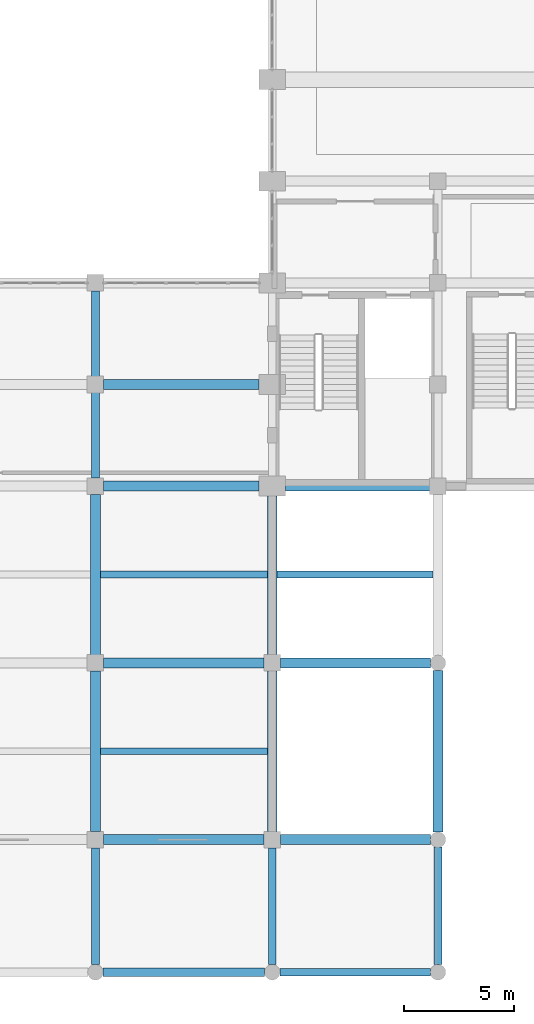
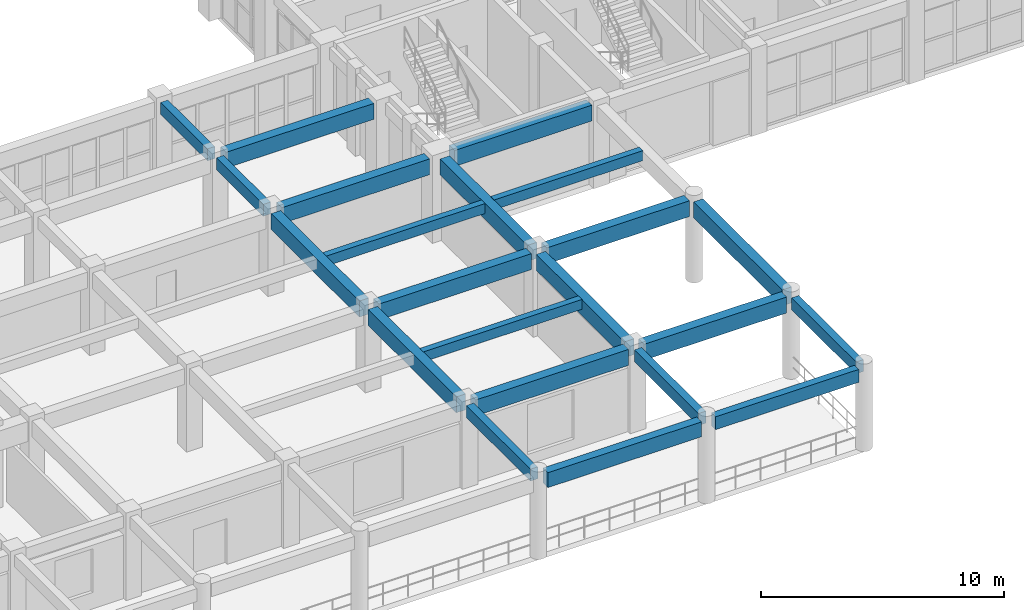
# One storey, part 12 of 116: 22 beams.
"""IFC4 building model written with IfcOpenShell, lengths in metres."""

from ifc_helpers import new_model, si_unit, direction, frame, origin, origin_2d, place, context, subcontext, project, spatial, rectangle, extrude, material, material_profile, profile_set, type_object, element, save


model = new_model("IFC4")

# Units and contexts
model_context = context("Model", 3, precision=1e-05, world=origin(), true_north=direction((0.0, 1.0)))
body_context = subcontext(model_context, "Body", "Model", "MODEL_VIEW")
ifc_project = project(units=[si_unit("LENGTHUNIT", "METRE"), si_unit("AREAUNIT", "SQUARE_METRE"), si_unit("VOLUMEUNIT", "CUBIC_METRE"), si_unit("PLANEANGLEUNIT", "RADIAN"), si_unit("MASSUNIT", "GRAM", prefix="KILO")], contexts=[model_context])

# Site, building, storey
site_placement = place(None, origin())
site = spatial("IfcSite", under=ifc_project, at=site_placement, CompositionType="ELEMENT")
building_placement = place(site_placement, origin())
building = spatial("IfcBuilding", under=site, at=building_placement, Name="Muzn Square Opera House", CompositionType="ELEMENT")
storey_placement = place(building_placement, frame((0.0, 0.0, 5.39990234375)))
storey = spatial("IfcBuildingStorey", under=building, at=storey_placement, Name="L01", CompositionType="ELEMENT", Elevation=5.39990234375)

# Beams
ifc_material = material(Name="Concrete C40/50", Category="concrete")
ifc_material_profile_1 = material_profile(ifc_material, rectangle(XDim=0.300048828125, YDim=0.5, at=origin_2d()), Name="RCJ 300x500", Category="concrete")
ifc_profile_set_1 = profile_set([ifc_material_profile_1], Name="Concrete C40/50")
beam_type_1 = type_object("IfcBeamType", Name="Floor Joist 300x500", PredefinedType="JOIST", material=ifc_profile_set_1)
for number, where, z_axis, x_axis, name in (
    (1, (35.217041015625, 10.0, 3.900146484375), (1.0, 0.0, 0.0), (0.0, 1.0, 0.0), "Floor Joist BM-L01-BM-J500-352_100_428_100-1826"),
    (2, (35.217041015625, 18.0, 3.8701171875), (1.0, 0.0, 0.0), (0.0, 1.0, 0.0), "Floor Joist BM-L01-BM-J500-352_180_428_180-1827"),
):
    element("IfcBeam", number, at=place(storey_placement, frame(where, z_axis=z_axis, x_axis=x_axis)), inside=storey, type_object=beam_type_1, Name=name, PredefinedType="JOIST", context=body_context, shape_type="SweptSolid", body=[
        extrude(rectangle(XDim=0.300048828125, YDim=0.5, at=origin_2d()), origin(), (0.0, 0.0, 1.0), 7.56591796875),
    ])
beam_1_placement = place(storey_placement, frame((43.217041015625, 18.0, 3.900146484375), z_axis=(1.0, 0.0, 0.0), x_axis=(0.0, 1.0, 0.0)))
element("IfcBeam", 3, at=beam_1_placement, inside=storey, type_object=beam_type_1, Name="Floor Joist BM-L01-BM-J500-432_180_503_180-1840", PredefinedType="JOIST", context=body_context, shape_type="SweptSolid", body=[
    extrude(rectangle(XDim=0.300048828125, YDim=0.5, at=origin_2d()), origin(), (0.0, 0.0, 1.0), 7.06591796875),
])
ifc_material_profile_2 = material_profile(ifc_material, rectangle(XDim=0.35009765625, YDim=0.60009765625, at=origin_2d()), Name="RCB 350x600", Category="concrete")
ifc_profile_set_2 = profile_set([ifc_material_profile_2], Name="Concrete C40/50")
beam_type_2 = type_object("IfcBeamType", Name="Primary Girder 350x600", PredefinedType="BEAM", material=ifc_profile_set_2)
beam_2_placement = place(storey_placement, frame((35.0, 0.342041015625, 3.85009765625), z_axis=(0.0, 1.0, 0.0), x_axis=(-1.0, 0.0, 0.0)))
element("IfcBeam", 4, at=beam_2_placement, inside=storey, type_object=beam_type_2, Name="Primary Girder BM-L01-BM-PG600-350_3_350_56-1583", PredefinedType="BEAM", context=body_context, shape_type="SweptSolid", body=[
    extrude(rectangle(XDim=0.35009765625, YDim=0.60009765625, at=origin_2d()), origin(), (0.0, 0.0, 1.0), 5.291015625),
])
for number, where, z_axis, x_axis, name in (
    (5, (35.0, 22.366943359375, 3.820068359375), (0.0, 1.0, 0.0), (-1.0, 0.0, 0.0), "Primary Girder BM-L01-BM-PG600-350_224_350_262-1586"),
    (6, (35.0, 26.967041015625, 3.820068359375), (0.0, 1.0, 0.0), (-1.0, 0.0, 0.0), "Primary Girder BM-L01-BM-PG600-350_270_350_308-1587"),
):
    element("IfcBeam", number, at=place(storey_placement, frame(where, z_axis=z_axis, x_axis=x_axis)), inside=storey, type_object=beam_type_2, Name=name, PredefinedType="BEAM", context=body_context, shape_type="SweptSolid", body=[
        extrude(rectangle(XDim=0.35009765625, YDim=0.60009765625, at=origin_2d()), origin(), (0.0, 0.0, 1.0), 3.865966796875),
    ])
beam_3_placement = place(storey_placement, frame((43.0, 0.342041015625, 3.85009765625), z_axis=(0.0, 1.0, 0.0), x_axis=(-1.0, 0.0, 0.0)))
element("IfcBeam", 7, at=beam_3_placement, inside=storey, type_object=beam_type_2, Name="Primary Girder BM-L01-BM-PG600-430_3_430_56-1596", PredefinedType="BEAM", context=body_context, shape_type="SweptSolid", body=[
    extrude(rectangle(XDim=0.35009765625, YDim=0.60009765625, at=origin_2d()), origin(), (0.0, 0.0, 1.0), 5.291015625),
])
beam_4_placement = place(storey_placement, frame((50.5, 0.342041015625, 3.820068359375), z_axis=(0.0, 1.0, 0.0), x_axis=(-1.0, 0.0, 0.0)))
element("IfcBeam", 8, at=beam_4_placement, inside=storey, type_object=beam_type_2, Name="Primary Girder BM-L01-BM-PG600-505_3_505_57-1614", PredefinedType="BEAM", context=body_context, shape_type="SweptSolid", body=[
    extrude(rectangle(XDim=0.35009765625, YDim=0.60009765625, at=origin_2d()), origin(), (0.0, 0.0, 1.0), 5.31591796875),
])
ifc_material_profile_3 = material_profile(ifc_material, rectangle(XDim=0.449951171875, YDim=0.800048828125, at=origin_2d()), Name="RCB 450x800", Category="concrete")
ifc_profile_set_3 = profile_set([ifc_material_profile_3], Name="Concrete C40/50")
beam_type_3 = type_object("IfcBeamType", Name="Primary Girder 450x800", PredefinedType="BEAM", material=ifc_profile_set_3)
beam_5_placement = place(storey_placement, frame((35.366943359375, 6.0, 3.75), z_axis=(1.0, 0.0, 0.0), x_axis=(0.0, 1.0, 0.0)))
element("IfcBeam", 9, at=beam_5_placement, inside=storey, type_object=beam_type_3, Name="Primary Girder BM-L01-BM-PG800-354_60_426_60-1254", PredefinedType="BEAM", context=body_context, shape_type="SweptSolid", body=[
    extrude(rectangle(XDim=0.449951171875, YDim=0.800048828125, at=origin_2d()), origin(), (0.0, 0.0, 1.0), 7.26611328125),
])
beam_6_placement = place(storey_placement, frame((43.366943359375, 6.0, 3.75), z_axis=(1.0, 0.0, 0.0), x_axis=(0.0, 1.0, 0.0)))
element("IfcBeam", 10, at=beam_6_placement, inside=storey, type_object=beam_type_3, Name="Primary Girder BM-L01-BM-PG800-434_60_502_60-1255", PredefinedType="BEAM", context=body_context, shape_type="SweptSolid", body=[
    extrude(rectangle(XDim=0.449951171875, YDim=0.800048828125, at=origin_2d()), origin(), (0.0, 0.0, 1.0), 6.791015625),
])
beam_7_placement = place(storey_placement, frame((35.366943359375, 14.0, 3.72021484375), z_axis=(1.0, 0.0, 0.0), x_axis=(0.0, 1.0, 0.0)))
element("IfcBeam", 11, at=beam_7_placement, inside=storey, type_object=beam_type_3, Name="Primary Girder BM-L01-BM-PG800-354_140_426_140-1267", PredefinedType="BEAM", context=body_context, shape_type="SweptSolid", body=[
    extrude(rectangle(XDim=0.449951171875, YDim=0.800048828125, at=origin_2d()), origin(), (0.0, 0.0, 1.0), 7.26611328125),
])
beam_8_placement = place(storey_placement, frame((43.366943359375, 14.0, 3.75), z_axis=(1.0, 0.0, 0.0), x_axis=(0.0, 1.0, 0.0)))
element("IfcBeam", 12, at=beam_8_placement, inside=storey, type_object=beam_type_3, Name="Primary Girder BM-L01-BM-PG800-434_140_502_140-1268", PredefinedType="BEAM", context=body_context, shape_type="SweptSolid", body=[
    extrude(rectangle(XDim=0.449951171875, YDim=0.800048828125, at=origin_2d()), origin(), (0.0, 0.0, 1.0), 6.791015625),
])
beam_9_placement = place(storey_placement, frame((35.366943359375, 22.0, 3.72021484375), z_axis=(1.0, 0.0, 0.0), x_axis=(0.0, 1.0, 0.0)))
element("IfcBeam", 13, at=beam_9_placement, inside=storey, type_object=beam_type_3, Name="Primary Girder BM-L01-BM-PG800-354_220_424_220-1278", PredefinedType="BEAM", context=body_context, shape_type="SweptSolid", body=[
    extrude(rectangle(XDim=0.449951171875, YDim=0.800048828125, at=origin_2d()), origin(), (0.0, 0.0, 1.0), 7.041015625),
])
beam_10_placement = place(storey_placement, frame((43.592041015625, 22.0, 3.72021484375), z_axis=(1.0, 0.0, 0.0), x_axis=(0.0, 1.0, 0.0)))
element("IfcBeam", 14, at=beam_10_placement, inside=storey, type_object=beam_type_3, Name="Primary Girder BM-L01-BM-PG800-436_220_501_220-1279", PredefinedType="BEAM", context=body_context, shape_type="SweptSolid", body=[
    extrude(rectangle(XDim=0.449951171875, YDim=0.800048828125, at=origin_2d()), origin(), (0.0, 0.0, 1.0), 6.541015625),
])
beam_11_placement = place(storey_placement, frame((35.366943359375, 26.60009765625, 3.72021484375), z_axis=(1.0, 0.0, 0.0), x_axis=(0.0, 1.0, 0.0)))
element("IfcBeam", 15, at=beam_11_placement, inside=storey, type_object=beam_type_3, Name="Primary Girder BM-L01-BM-PG800-354_266_424_266-1300", PredefinedType="BEAM", context=body_context, shape_type="SweptSolid", body=[
    extrude(rectangle(XDim=0.449951171875, YDim=0.800048828125, at=origin_2d()), origin(), (0.0, 0.0, 1.0), 7.041015625),
])
for number, where, z_axis, x_axis, name in (
    (16, (35.0, 6.366943359375, 3.75), (0.0, 1.0, 0.0), (-1.0, 0.0, 0.0), "Primary Girder BM-L01-BM-PG800-350_64_350_136-1584"),
    (17, (35.0, 14.366943359375, 3.72021484375), (0.0, 1.0, 0.0), (-1.0, 0.0, 0.0), "Primary Girder BM-L01-BM-PG800-350_144_350_216-1585"),
    (18, (43.0, 6.366943359375, 3.72021484375), (0.0, 1.0, 0.0), (-1.0, 0.0, 0.0), "Primary Girder BM-L01-BM-PG800-430_64_430_136-1597"),
):
    element("IfcBeam", number, at=place(storey_placement, frame(where, z_axis=z_axis, x_axis=x_axis)), inside=storey, type_object=beam_type_3, Name=name, PredefinedType="BEAM", context=body_context, shape_type="SweptSolid", body=[
        extrude(rectangle(XDim=0.449951171875, YDim=0.800048828125, at=origin_2d()), origin(), (0.0, 0.0, 1.0), 7.26611328125),
    ])
beam_12_placement = place(storey_placement, frame((43.0, 14.366943359375, 3.72021484375), z_axis=(0.0, 1.0, 0.0), x_axis=(-1.0, 0.0, 0.0)))
element("IfcBeam", 19, at=beam_12_placement, inside=storey, type_object=beam_type_3, Name="Primary Girder BM-L01-BM-PG800-430_144_430_216-1598", PredefinedType="BEAM", context=body_context, shape_type="SweptSolid", body=[
    extrude(rectangle(XDim=0.449951171875, YDim=0.800048828125, at=origin_2d()), origin(), (0.0, 0.0, 1.0), 7.191162109375),
])
beam_13_placement = place(storey_placement, frame((50.5, 6.342041015625, 3.72021484375), z_axis=(0.0, 1.0, 0.0), x_axis=(-1.0, 0.0, 0.0)))
element("IfcBeam", 20, at=beam_13_placement, inside=storey, type_object=beam_type_3, Name="Primary Girder BM-L01-BM-PG800-505_63_505_137-1615", PredefinedType="BEAM", context=body_context, shape_type="SweptSolid", body=[
    extrude(rectangle(XDim=0.449951171875, YDim=0.800048828125, at=origin_2d()), origin(), (0.0, 0.0, 1.0), 7.31591796875),
])
ifc_material_profile_4 = material_profile(ifc_material, rectangle(XDim=0.35009765625, YDim=0.64990234375, at=origin_2d()), Name="RCS 350x650", Category="concrete")
ifc_profile_set_4 = profile_set([ifc_material_profile_4], Name="Concrete C40/50")
beam_type_4 = type_object("IfcBeamType", Name="Spandrel Beam 350x650", PredefinedType="SPANDREL", material=ifc_profile_set_4)
beam_14_placement = place(storey_placement, frame((43.342041015625, 0.0, 3.795166015625), z_axis=(1.0, 0.0, 0.0), x_axis=(0.0, 1.0, 0.0)))
element("IfcBeam", 21, at=beam_14_placement, inside=storey, type_object=beam_type_4, Name="Spandrel Beam BM-L01-BM-SP650-433_0_502_0-1241", PredefinedType="SPANDREL", context=body_context, shape_type="SweptSolid", body=[
    extrude(rectangle(XDim=0.35009765625, YDim=0.64990234375, at=origin_2d()), origin(), (0.0, 0.0, 1.0), 6.81591796875),
])
ifc_material_profile_5 = material_profile(ifc_material, rectangle(XDim=0.39990234375, YDim=0.75, at=origin_2d()), Name="RCS 400x750", Category="concrete")
ifc_profile_set_5 = profile_set([ifc_material_profile_5], Name="Concrete C40/50")
beam_type_5 = type_object("IfcBeamType", Name="Spandrel Beam 400x750", PredefinedType="SPANDREL", material=ifc_profile_set_5)
beam_15_placement = place(storey_placement, frame((35.342041015625, 0.0, 3.7451171875), z_axis=(1.0, 0.0, 0.0), x_axis=(0.0, 1.0, 0.0)))
element("IfcBeam", 22, at=beam_15_placement, inside=storey, type_object=beam_type_5, Name="Spandrel Beam BM-L01-BM-SP750-353_0_427_0-1240", PredefinedType="SPANDREL", context=body_context, shape_type="SweptSolid", body=[
    extrude(rectangle(XDim=0.39990234375, YDim=0.75, at=origin_2d()), origin(), (0.0, 0.0, 1.0), 7.31591796875),
])

save(model, "model.ifc")
